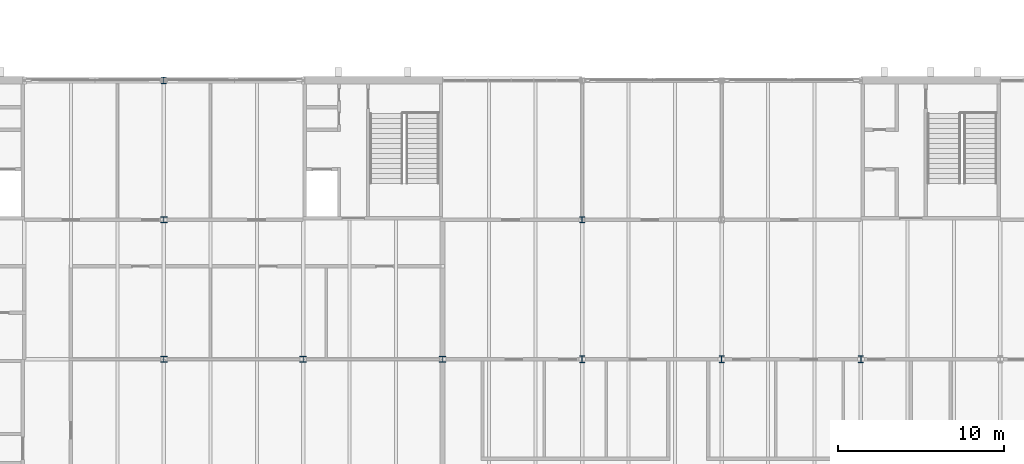
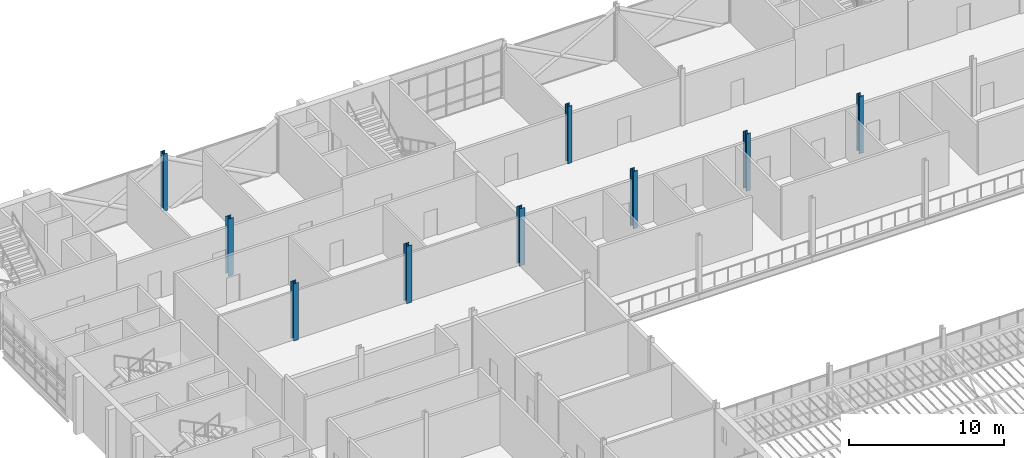
# One storey, part 7 of 129: 9 columns.
"""IFC4 building model written with IfcOpenShell, lengths in metres."""

from ifc_helpers import new_model, si_unit, direction, frame, origin, origin_2d, place, context, subcontext, project, spatial, i_section, extrude, material, material_profile, profile_set, type_object, element, save


model = new_model("IFC4")

# Units and contexts
model_context = context("Model", 3, precision=1e-05, world=origin(), true_north=direction((0.0, 1.0)))
body_context = subcontext(model_context, "Body", "Model", "MODEL_VIEW")
ifc_project = project(units=[si_unit("LENGTHUNIT", "METRE"), si_unit("AREAUNIT", "SQUARE_METRE"), si_unit("VOLUMEUNIT", "CUBIC_METRE"), si_unit("PLANEANGLEUNIT", "RADIAN"), si_unit("MASSUNIT", "GRAM", prefix="KILO")], contexts=[model_context])

# Site, building, storey
site_placement = place(None, origin())
site = spatial("IfcSite", under=ifc_project, at=site_placement, CompositionType="ELEMENT")
building_placement = place(site_placement, origin())
building = spatial("IfcBuilding", under=site, at=building_placement, Name="Ardhachandra Cancer Care Centre", CompositionType="ELEMENT")
storey_placement = place(building_placement, frame((0.0, 0.0, 4.5)))
storey = spatial("IfcBuildingStorey", under=building, at=storey_placement, Name="L01", CompositionType="ELEMENT", Elevation=4.5)

# Columns
ifc_material_1 = material(Name="Steel E350 (IS 2062)", Category="steel")
ifc_material_profile_1 = material_profile(ifc_material_1, i_section(OverallWidth=0.300048828125, OverallDepth=0.360107421875, WebThickness=0.012451171875, FlangeThickness=0.0224609375, FilletRadius=0.027099609375, at=origin_2d()), Name="WPB 360x300x141.80")
ifc_profile_set_1 = profile_set([ifc_material_profile_1], Name="Steel E350 (IS 2062)")
column_type_1 = type_object("IfcColumnType", Name="Column WPB 360x300x141.80", PredefinedType="COLUMN", material=ifc_profile_set_1)
column_placement = place(storey_placement, frame((52.800048828125, 88.199951171875, 0.0), z_axis=(0.0, 0.0, 1.0), x_axis=(1.0, 0.0, 0.0)))
element("IfcColumn", 1, at=column_placement, inside=storey, type_object=column_type_1, Name="Column K6 L01", PredefinedType="COLUMN", context=body_context, shape_type="SweptSolid", body=[
    extrude(i_section(OverallWidth=0.300048828125, OverallDepth=0.360107421875, WebThickness=0.012451171875, FlangeThickness=0.0224609375, FilletRadius=0.027099609375, at=origin_2d()), origin(), (0.0, 0.0, 1.0), 4.5),
])
ifc_material_2 = material(Name="Steel E350 (IS 2062)", Category="steel")
ifc_material_profile_2 = material_profile(ifc_material_2, i_section(OverallWidth=0.300048828125, OverallDepth=0.39990234375, WebThickness=0.013427734375, FlangeThickness=0.02392578125, FilletRadius=0.027099609375, at=origin_2d()), Name="WPB 400x300x155.26")
ifc_profile_set_2 = profile_set([ifc_material_profile_2], Name="Steel E350 (IS 2062)")
column_type_2 = type_object("IfcColumnType", Name="Column WPB 400x300x155.26", PredefinedType="COLUMN", material=ifc_profile_set_2)
for number, where, z_axis, x_axis, name in (
    (2, (52.800048828125, 79.800048828125, 0.0), (0.0, 0.0, 1.0), (1.0, 0.0, 0.0), "Column J6 L01"),
    (3, (61.199951171875, 79.800048828125, 0.0), (0.0, 0.0, 1.0), (1.0, 0.0, 0.0), "Column J7 L01"),
    (4, (69.60009765625, 79.800048828125, 0.0), (0.0, 0.0, 1.0), (1.0, 0.0, 0.0), "Column J8 L01"),
    (5, (27.60009765625, 96.60009765625, 0.0), (0.0, 0.0, 1.0), (1.0, 0.0, 0.0), "Column L3 L01"),
):
    element("IfcColumn", number, at=place(storey_placement, frame(where, z_axis=z_axis, x_axis=x_axis)), inside=storey, type_object=column_type_2, Name=name, PredefinedType="COLUMN", context=body_context, shape_type="SweptSolid", body=[
        extrude(i_section(OverallWidth=0.300048828125, OverallDepth=0.39990234375, WebThickness=0.013427734375, FlangeThickness=0.02392578125, FilletRadius=0.027099609375, at=origin_2d()), origin(), (0.0, 0.0, 1.0), 4.5),
    ])
ifc_material_3 = material(Name="Steel E350 (IS 2062)", Category="steel")
ifc_material_profile_3 = material_profile(ifc_material_3, i_section(OverallWidth=0.39111328125, OverallDepth=0.367919921875, WebThickness=0.014892578125, FlangeThickness=0.024169921875, FilletRadius=0.027099609375, at=origin_2d()), Name="WPB 400x400x191.10")
ifc_profile_set_3 = profile_set([ifc_material_profile_3], Name="Steel E350 (IS 2062)")
column_type_3 = type_object("IfcColumnType", Name="Column WPB 400x400x191.10", PredefinedType="COLUMN", material=ifc_profile_set_3)
for number, where, z_axis, x_axis, name in (
    (6, (27.60009765625, 79.800048828125, 0.0), (0.0, 0.0, 1.0), (1.0, 0.0, 0.0), "Column J3 L01"),
    (7, (36.0, 79.800048828125, 0.0), (0.0, 0.0, 1.0), (1.0, 0.0, 0.0), "Column J4 L01"),
    (8, (44.39990234375, 79.800048828125, 0.0), (0.0, 0.0, 1.0), (1.0, 0.0, 0.0), "Column J5 L01"),
    (9, (27.60009765625, 88.199951171875, 0.0), (0.0, 0.0, 1.0), (1.0, 0.0, 0.0), "Column K3 L01"),
):
    element("IfcColumn", number, at=place(storey_placement, frame(where, z_axis=z_axis, x_axis=x_axis)), inside=storey, type_object=column_type_3, Name=name, PredefinedType="COLUMN", context=body_context, shape_type="SweptSolid", body=[
        extrude(i_section(OverallWidth=0.39111328125, OverallDepth=0.367919921875, WebThickness=0.014892578125, FlangeThickness=0.024169921875, FilletRadius=0.027099609375, at=origin_2d()), origin(), (0.0, 0.0, 1.0), 4.5),
    ])

save(model, "model.ifc")
